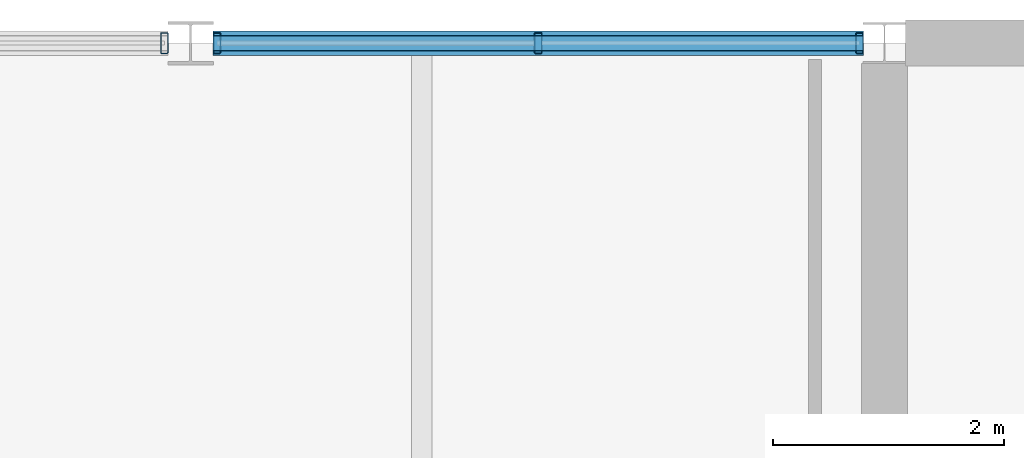
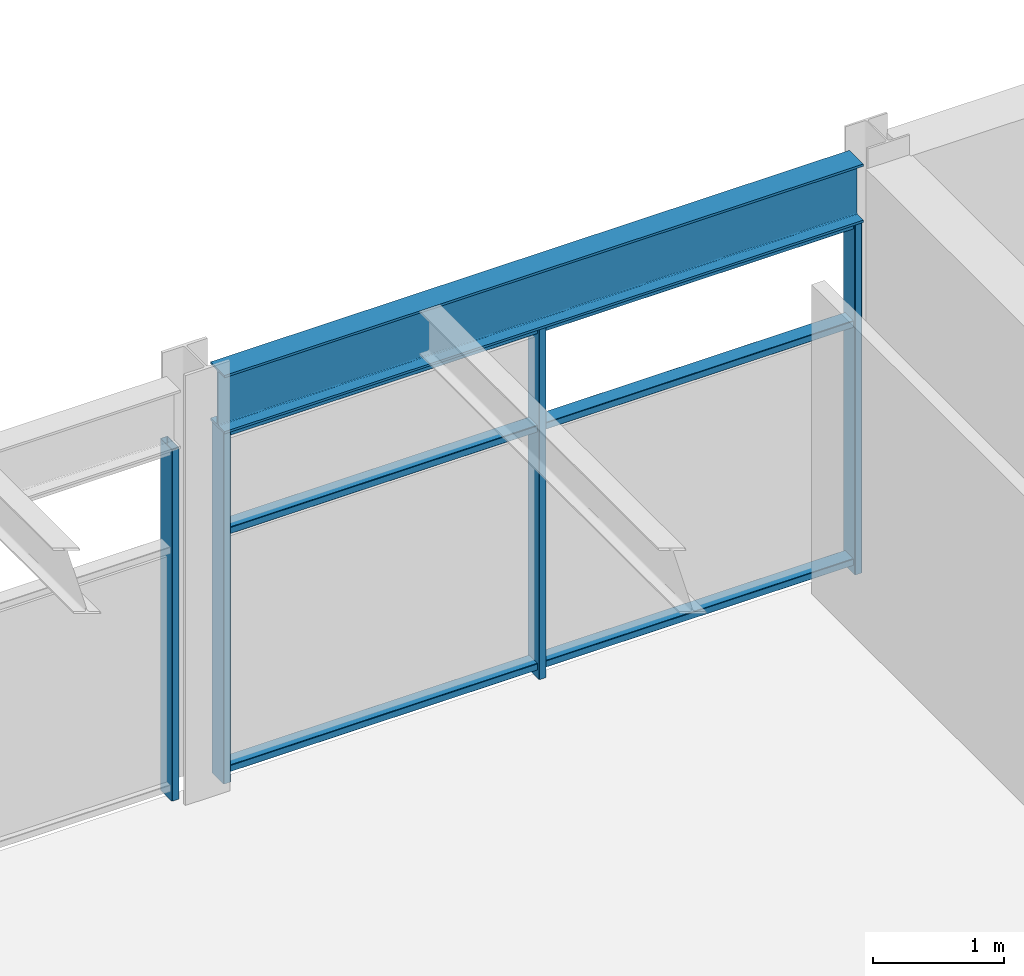
# One storey, part 31 of 40: 7 members, 1 beam, 2 elements without a shape of their own.
"""IFC4 building model written with IfcOpenShell, lengths in metres."""

from ifc_helpers import new_model, si_unit, direction, frame, origin, origin_2d, place, context, subcontext, project, spatial, hollow_rectangle, i_section, extrude, material, material_profile, profile_set, type_object, element, aggregate, save


model = new_model("IFC4")

# Units and contexts
model_context = context("Model", 3, precision=1e-05, world=origin(), true_north=direction((0.0, 1.0)))
body_context = subcontext(model_context, "Body", "Model", "MODEL_VIEW")
ifc_project = project(units=[si_unit("LENGTHUNIT", "METRE"), si_unit("AREAUNIT", "SQUARE_METRE"), si_unit("VOLUMEUNIT", "CUBIC_METRE"), si_unit("PLANEANGLEUNIT", "RADIAN"), si_unit("MASSUNIT", "GRAM", prefix="KILO")], contexts=[model_context])

# Site, building, storey
site_placement = place(None, origin())
site = spatial("IfcSite", under=ifc_project, at=site_placement, CompositionType="ELEMENT")
building_placement = place(site_placement, origin())
building = spatial("IfcBuilding", under=site, at=building_placement, Name="Girod Span Mobility Hub", CompositionType="ELEMENT")
storey_placement = place(building_placement, frame((0.0, 0.0, 53.60009765625)))
storey = spatial("IfcBuildingStorey", under=building, at=storey_placement, Name="L13", CompositionType="ELEMENT", Elevation=53.60009765625)

# Beam
ifc_material_1 = material(Name="Steel A992 Grade 50", Category="steel")
ifc_material_profile_1 = material_profile(ifc_material_1, i_section(OverallWidth=0.2119140625, OverallDepth=0.5439453125, WebThickness=0.01318359375, FlangeThickness=0.021240234375, FilletRadius=0.014892578125, at=origin_2d()), Name="W21X83")
ifc_profile_set_1 = profile_set([ifc_material_profile_1], Name="Steel A992 Grade 50")
beam_type = type_object("IfcBeamType", Name="BM-STL-W21X83", PredefinedType="SPANDREL", material=ifc_profile_set_1)
beam_placement = place(storey_placement, frame((102.194091796875, 69.0, 3.54296875), z_axis=(1.0, 0.0, 0.0), x_axis=(0.0, 1.0, 0.0)))
element("IfcBeam", 1, at=beam_placement, inside=storey, type_object=beam_type, Name="Spandrel Beam 9-10/F-E L13", PredefinedType="SPANDREL", context=body_context, shape_type="SweptSolid", body=[
    extrude(i_section(OverallWidth=0.2119140625, OverallDepth=0.5439453125, WebThickness=0.01318359375, FlangeThickness=0.021240234375, FilletRadius=0.014892578125, at=origin_2d()), origin(), (0.0, 0.0, 1.0), 5.62451171875),
])

# Curtain wall, member
ifc_material_2 = material(Name="Thermally Broken Anodised Aluminium", Category="aluminium")
curtain_wall_type = type_object("IfcCurtainWallType", Name="CW-562X327", PredefinedType="USERDEFINED", material=ifc_material_2)
curtain_wall_1_placement = place(storey_placement, origin())
curtain_wall_1 = element("IfcCurtainWall", 2, at=curtain_wall_1_placement, inside=storey, type_object=curtain_wall_type, Name="Unitised Curtain Wall CW-L13-N09W L13", ObjectType="UNITISED CURTAIN WALL", PredefinedType="USERDEFINED")
ifc_material_3 = material(Name="Thermally Broken Anodised Aluminium", Category="aluminium")
ifc_material_profile_2 = material_profile(ifc_material_3, hollow_rectangle(XDim=0.179931640625, YDim=0.06494140625, WallThickness=0.00390625, InnerFilletRadius=0.00390625, OuterFilletRadius=0.008056640625, at=origin_2d()), Name="CW-ML-65X180")
ifc_profile_set_2 = profile_set([ifc_material_profile_2], Name="Thermally Broken Anodised Aluminium")
member_type_1 = type_object("IfcMemberType", Name="CWM-ML-2", PredefinedType="MULLION", material=ifc_profile_set_2)
member_1_placement = place(storey_placement, frame((101.77294921875, 69.0, 0.0), z_axis=(0.0, 0.0, 1.0), x_axis=(0.0, 1.0, 0.0)))
member_1 = element("IfcMember", 3, at=member_1_placement, type_object=member_type_1, Name="Curtain Wall Mullion CW-L13-N09W-M2", PredefinedType="MULLION", context=body_context, shape_type="SweptSolid", body=[
    extrude(hollow_rectangle(XDim=0.179931640625, YDim=0.06494140625, WallThickness=0.00390625, InnerFilletRadius=0.00390625, OuterFilletRadius=0.008056640625, at=origin_2d()), origin(), (0.0, 0.0, 1.0), 3.27099609375),
])
aggregate(curtain_wall_1, [member_1])

# Curtain wall, members
curtain_wall_2_placement = place(storey_placement, origin())
curtain_wall_2 = element("IfcCurtainWall", 4, at=curtain_wall_2_placement, inside=storey, type_object=curtain_wall_type, Name="Unitised Curtain Wall CW-L13-N09E L13", ObjectType="UNITISED CURTAIN WALL", PredefinedType="USERDEFINED")
member_2_placement = place(storey_placement, frame((102.22705078125, 69.0, 0.0), z_axis=(0.0, 0.0, 1.0), x_axis=(0.0, 1.0, 0.0)))
member_2 = element("IfcMember", 5, at=member_2_placement, type_object=member_type_1, Name="Curtain Wall Mullion CW-L13-N09E-M0", PredefinedType="MULLION", context=body_context, shape_type="SweptSolid", body=[
    extrude(hollow_rectangle(XDim=0.179931640625, YDim=0.06494140625, WallThickness=0.00390625, InnerFilletRadius=0.00390625, OuterFilletRadius=0.008056640625, at=origin_2d()), origin(), (0.0, 0.0, 1.0), 3.27099609375),
])
member_3_placement = place(storey_placement, frame((105.006103515625, 69.0, 0.0), z_axis=(0.0, 0.0, 1.0), x_axis=(0.0, 1.0, 0.0)))
member_3 = element("IfcMember", 6, at=member_3_placement, type_object=member_type_1, Name="Curtain Wall Mullion CW-L13-N09E-M1", PredefinedType="MULLION", context=body_context, shape_type="SweptSolid", body=[
    extrude(hollow_rectangle(XDim=0.179931640625, YDim=0.06494140625, WallThickness=0.00390625, InnerFilletRadius=0.00390625, OuterFilletRadius=0.008056640625, at=origin_2d()), origin(), (0.0, 0.0, 1.0), 3.27099609375),
])
member_4_placement = place(storey_placement, frame((107.785400390625, 69.0, 0.0), z_axis=(0.0, 0.0, 1.0), x_axis=(0.0, 1.0, 0.0)))
member_4 = element("IfcMember", 7, at=member_4_placement, type_object=member_type_1, Name="Curtain Wall Mullion CW-L13-N09E-M2", PredefinedType="MULLION", context=body_context, shape_type="SweptSolid", body=[
    extrude(hollow_rectangle(XDim=0.179931640625, YDim=0.06494140625, WallThickness=0.00390625, InnerFilletRadius=0.00390625, OuterFilletRadius=0.008056640625, at=origin_2d()), origin(), (0.0, 0.0, 1.0), 3.27099609375),
])
ifc_material_4 = material(Name="Thermally Broken Anodised Aluminium", Category="aluminium")
ifc_material_profile_3 = material_profile(ifc_material_4, hollow_rectangle(XDim=0.135009765625, YDim=0.06494140625, WallThickness=0.00390625, InnerFilletRadius=0.00390625, OuterFilletRadius=0.008056640625, at=origin_2d()), Name="CW-TR-65X135")
ifc_profile_set_3 = profile_set([ifc_material_profile_3], Name="Thermally Broken Anodised Aluminium")
member_type_2 = type_object("IfcMemberType", Name="CWM-TR-2", PredefinedType="USERDEFINED", material=ifc_profile_set_3)
member_5_placement = place(storey_placement, frame((102.195068359375, 69.0, 0.107421875), z_axis=(1.0, 0.0, 0.0), x_axis=(0.0, 1.0, 0.0)))
member_5 = element("IfcMember", 8, at=member_5_placement, type_object=member_type_2, Name="Curtain Wall Transom CW-L13-N09E-T1", ObjectType="TRANSOM", PredefinedType="USERDEFINED", context=body_context, shape_type="SweptSolid", body=[
    extrude(hollow_rectangle(XDim=0.135009765625, YDim=0.06494140625, WallThickness=0.00390625, InnerFilletRadius=0.00390625, OuterFilletRadius=0.008056640625, at=origin_2d()), origin(), (0.0, 0.0, 1.0), 5.622314453125),
])
member_6_placement = place(storey_placement, frame((102.195068359375, 69.0, 2.322509765625), z_axis=(1.0, 0.0, 0.0), x_axis=(0.0, 1.0, 0.0)))
member_6 = element("IfcMember", 9, at=member_6_placement, type_object=member_type_2, Name="Curtain Wall Transom CW-L13-N09E-T2", ObjectType="TRANSOM", PredefinedType="USERDEFINED", context=body_context, shape_type="SweptSolid", body=[
    extrude(hollow_rectangle(XDim=0.135009765625, YDim=0.06494140625, WallThickness=0.00390625, InnerFilletRadius=0.00390625, OuterFilletRadius=0.008056640625, at=origin_2d()), origin(), (0.0, 0.0, 1.0), 5.622314453125),
])
member_7_placement = place(storey_placement, frame((102.195068359375, 69.0, 3.23828125), z_axis=(1.0, 0.0, 0.0), x_axis=(0.0, 1.0, 0.0)))
member_7 = element("IfcMember", 10, at=member_7_placement, type_object=member_type_2, Name="Curtain Wall Transom CW-L13-N09E-T3", ObjectType="TRANSOM", PredefinedType="USERDEFINED", context=body_context, shape_type="SweptSolid", body=[
    extrude(hollow_rectangle(XDim=0.135009765625, YDim=0.06494140625, WallThickness=0.00390625, InnerFilletRadius=0.00390625, OuterFilletRadius=0.008056640625, at=origin_2d()), origin(), (0.0, 0.0, 1.0), 5.622314453125),
])
aggregate(curtain_wall_2, [member_2, member_3, member_4, member_5, member_6, member_7])

save(model, "model.ifc")
